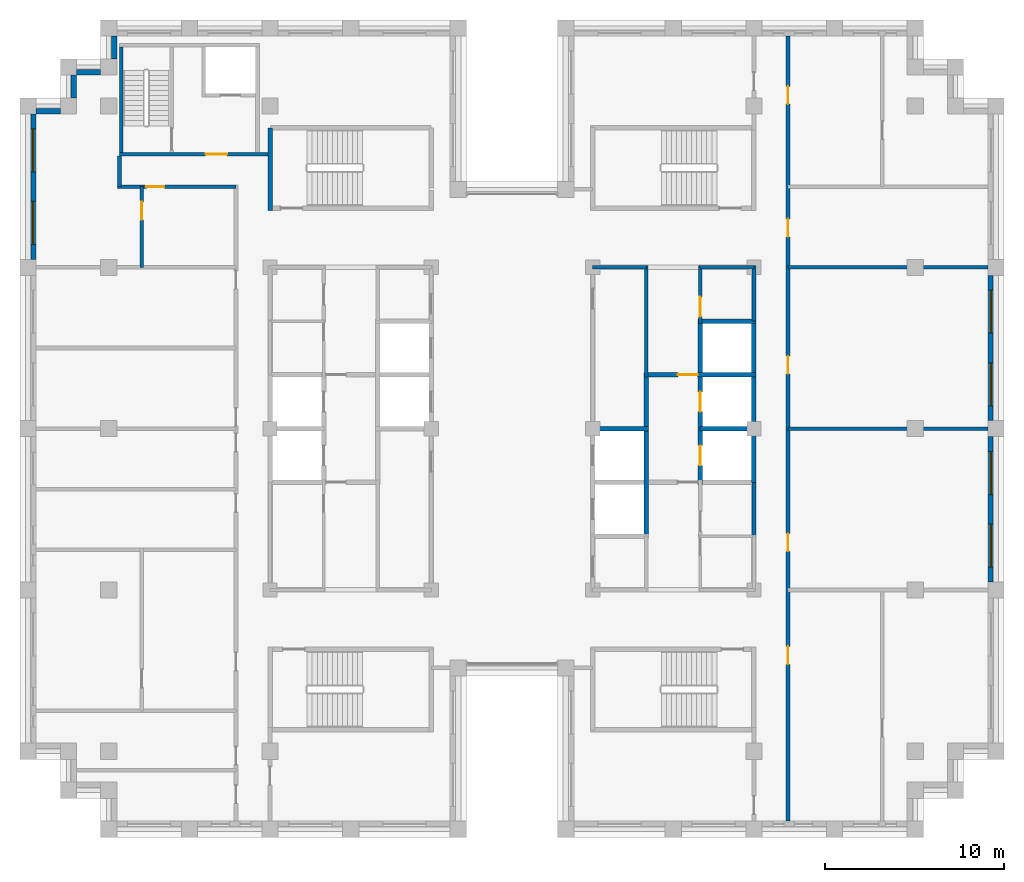
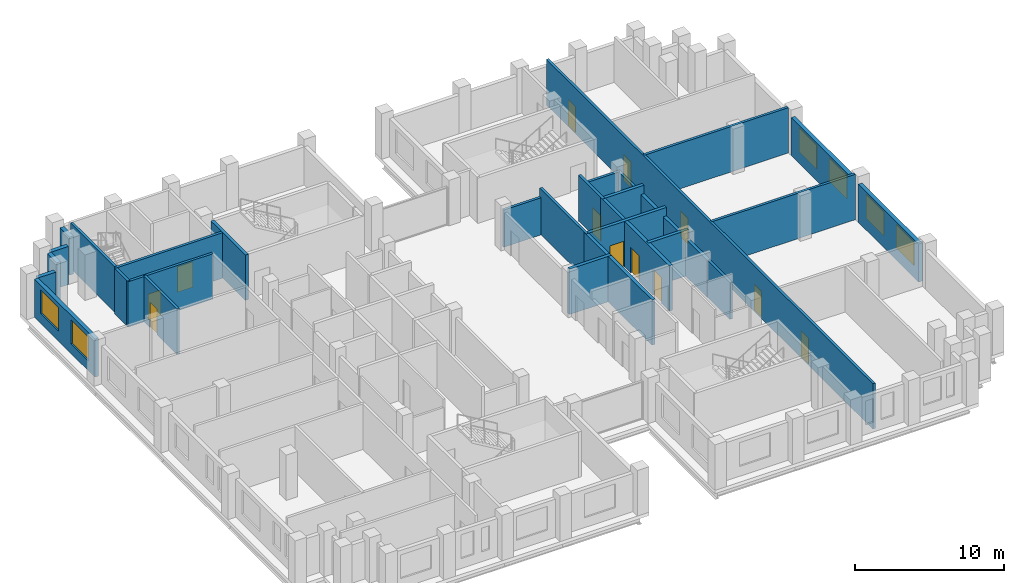
# One storey, part 9 of 13: 29 walls, 12 doors, 6 windows, 18 openings.
"""IFC4 building model written with IfcOpenShell, lengths in metres."""

from ifc_helpers import new_model, si_unit, direction, frame, frame_2d, origin, place, context, subcontext, project, spatial, rectangle, extrude, material, layer, layer_set, type_object, element, fill, save


model = new_model("IFC4")

# Units and contexts
model_context = context("Model", 3, precision=1e-05, world=origin(), true_north=direction((0.0, 1.0)))
body_context = subcontext(model_context, "Body", "Model", "MODEL_VIEW")
ifc_project = project(units=[si_unit("LENGTHUNIT", "METRE"), si_unit("AREAUNIT", "SQUARE_METRE"), si_unit("VOLUMEUNIT", "CUBIC_METRE"), si_unit("PLANEANGLEUNIT", "RADIAN"), si_unit("MASSUNIT", "GRAM", prefix="KILO")], contexts=[model_context])

# Site, building, storey
site_placement = place(None, origin())
site = spatial("IfcSite", under=ifc_project, at=site_placement, CompositionType="ELEMENT")
building_placement = place(site_placement, origin())
building = spatial("IfcBuilding", under=site, at=building_placement, Name="Corbelhall Arena Tower", CompositionType="ELEMENT")
storey_placement = place(building_placement, frame((0.0, 0.0, 278.0)))
storey = spatial("IfcBuildingStorey", under=building, at=storey_placement, Name="L60", CompositionType="ELEMENT", Elevation=278.0)

# Walls
ifc_material_1 = material(Name="Precast concrete C40/50 with granite facing", Category="masonry")
ifc_layer_1 = layer(ifc_material_1, 0.300048828125)
ifc_layer_set_1 = layer_set([ifc_layer_1], Name="EV-IW1 Infill panel 300")
wall_type_1 = type_object("IfcWallType", Name="EV-IW1 Infill panel 300", PredefinedType="SOLIDWALL", material=ifc_layer_set_1)
wall_1_placement = place(storey_placement, frame((-24.449951171875, 19.72509765625, 0.0), z_axis=(0.0, 0.0, 1.0), x_axis=(0.0, -1.0, 0.0)))
element("IfcWall", 1, at=wall_1_placement, inside=storey, type_object=wall_type_1, Name="Infill panel IW1", PredefinedType="SOLIDWALL", context=body_context, shape_type="SweptSolid", body=[
    extrude(rectangle(XDim=1.275146484375, YDim=0.300048828125, at=frame_2d((0.6376953125, 0.0))), origin(), (0.0, 0.0, 1.0), 3.1201171875),
])
wall_2_placement = place(storey_placement, frame((-25.199951171875, 17.699951171875, 0.0), z_axis=(0.0, 0.0, 1.0), x_axis=(-1.0, 0.0, 0.0)))
element("IfcWall", 2, at=wall_2_placement, inside=storey, type_object=wall_type_1, Name="Infill panel IW1", PredefinedType="SOLIDWALL", context=body_context, shape_type="SweptSolid", body=[
    extrude(rectangle(XDim=1.35009765625, YDim=0.300048828125, at=frame_2d((0.675048828125, 0.0))), origin(), (0.0, 0.0, 1.0), 3.1201171875),
])

# Wall, openings, windows
wall_3_placement = place(storey_placement, frame((-26.699951171875, 17.550048828125, 0.0), z_axis=(0.0, 0.0, 1.0), x_axis=(0.0, -1.0, 0.0)))
wall_3 = element("IfcWall", 3, at=wall_3_placement, inside=storey, type_object=wall_type_1, Name="Infill panel IW1", PredefinedType="SOLIDWALL", context=body_context, shape_type="SweptSolid", body=[
    extrude(rectangle(XDim=8.10009765625, YDim=0.300048828125, at=frame_2d((4.050048828125, 0.0))), origin(), (0.0, 0.0, 1.0), 3.1201171875),
])
opening_1_placement = place(wall_3_placement, frame((0.824951171875, 0.0, 0.800048828125)))
opening_1 = element("IfcOpeningElement", 4, at=opening_1_placement, cuts=wall_3, Name="Opening WN1", PredefinedType="OPENING", context=body_context, shape_type="SweptSolid", body=[
    extrude(rectangle(XDim=2.39990234375, YDim=1.949951171875, at=frame_2d((1.199951171875, 0.97509765625))), frame((0.0, 0.14990234375, 0.0), z_axis=(0.0, -1.0, 0.0), x_axis=(1.0, 0.0, 0.0)), (0.0, 0.0, 1.0), 0.300048828125),
])
opening_2_placement = place(wall_3_placement, frame((4.875, 0.0, 0.800048828125)))
opening_2 = element("IfcOpeningElement", 5, at=opening_2_placement, cuts=wall_3, Name="Opening WN1", PredefinedType="OPENING", context=body_context, shape_type="SweptSolid", body=[
    extrude(rectangle(XDim=2.39990234375, YDim=1.949951171875, at=frame_2d((1.199951171875, 0.97509765625))), frame((0.0, 0.14990234375, 0.0), z_axis=(0.0, -1.0, 0.0), x_axis=(1.0, 0.0, 0.0)), (0.0, 0.0, 1.0), 0.300048828125),
])
ifc_material_2 = material(Name="Aluminium black anodised", Category="aluminium")
window_type = type_object("IfcWindowType", Name="EV-WN1 Office window", PartitioningType="SINGLE_PANEL", PredefinedType="WINDOW", material=ifc_material_2)
window_1_placement = place(opening_1_placement, origin())
window_1 = element("IfcWindow", 6, at=window_1_placement, inside=storey, type_object=window_type, Name="Window WN1", OverallHeight=1.949951171875, OverallWidth=2.39990234375, PartitioningType="SINGLE_PANEL", PredefinedType="WINDOW", context=body_context, shape_type="SweptSolid", body=[
    extrude(rectangle(XDim=2.39990234375, YDim=1.949951171875, at=frame_2d((1.199951171875, 0.97509765625))), frame((0.0, 0.030029296875, 0.0), z_axis=(0.0, -1.0, 0.0), x_axis=(1.0, 0.0, 0.0)), (0.0, 0.0, 1.0), 0.06005859375),
])
fill(opening_1, window_1)
window_2_placement = place(opening_2_placement, origin())
window_2 = element("IfcWindow", 7, at=window_2_placement, inside=storey, type_object=window_type, Name="Window WN1", OverallHeight=1.949951171875, OverallWidth=2.39990234375, PartitioningType="SINGLE_PANEL", PredefinedType="WINDOW", context=body_context, shape_type="SweptSolid", body=[
    extrude(rectangle(XDim=2.39990234375, YDim=1.949951171875, at=frame_2d((1.199951171875, 0.97509765625))), frame((0.0, 0.030029296875, 0.0), z_axis=(0.0, -1.0, 0.0), x_axis=(1.0, 0.0, 0.0)), (0.0, 0.0, 1.0), 0.06005859375),
])
fill(opening_2, window_2)

wall_4_placement = place(storey_placement, frame((26.699951171875, -8.550048828125, 0.0), z_axis=(0.0, 0.0, 1.0), x_axis=(0.0, 1.0, 0.0)))
wall_4 = element("IfcWall", 8, at=wall_4_placement, inside=storey, type_object=wall_type_1, Name="Infill panel IW1", PredefinedType="SOLIDWALL", context=body_context, shape_type="SweptSolid", body=[
    extrude(rectangle(XDim=8.10009765625, YDim=0.300048828125, at=frame_2d((4.050048828125, 0.0))), origin(), (0.0, 0.0, 1.0), 3.1201171875),
])
opening_3_placement = place(wall_4_placement, frame((0.824951171875, 0.0, 0.800048828125)))
opening_3 = element("IfcOpeningElement", 9, at=opening_3_placement, cuts=wall_4, Name="Opening WN1", PredefinedType="OPENING", context=body_context, shape_type="SweptSolid", body=[
    extrude(rectangle(XDim=2.39990234375, YDim=1.949951171875, at=frame_2d((1.199951171875, 0.97509765625))), frame((0.0, 0.14990234375, 0.0), z_axis=(0.0, -1.0, 0.0), x_axis=(1.0, 0.0, 0.0)), (0.0, 0.0, 1.0), 0.300048828125),
])
opening_4_placement = place(wall_4_placement, frame((4.875, 0.0, 0.800048828125)))
opening_4 = element("IfcOpeningElement", 10, at=opening_4_placement, cuts=wall_4, Name="Opening WN1", PredefinedType="OPENING", context=body_context, shape_type="SweptSolid", body=[
    extrude(rectangle(XDim=2.39990234375, YDim=1.949951171875, at=frame_2d((1.199951171875, 0.97509765625))), frame((0.0, 0.14990234375, 0.0), z_axis=(0.0, -1.0, 0.0), x_axis=(1.0, 0.0, 0.0)), (0.0, 0.0, 1.0), 0.300048828125),
])
window_3_placement = place(opening_3_placement, origin())
window_3 = element("IfcWindow", 11, at=window_3_placement, inside=storey, type_object=window_type, Name="Window WN1", OverallHeight=1.949951171875, OverallWidth=2.39990234375, PartitioningType="SINGLE_PANEL", PredefinedType="WINDOW", context=body_context, shape_type="SweptSolid", body=[
    extrude(rectangle(XDim=2.39990234375, YDim=1.949951171875, at=frame_2d((1.199951171875, 0.97509765625))), frame((0.0, 0.030029296875, 0.0), z_axis=(0.0, -1.0, 0.0), x_axis=(1.0, 0.0, 0.0)), (0.0, 0.0, 1.0), 0.06005859375),
])
fill(opening_3, window_3)
window_4_placement = place(opening_4_placement, origin())
window_4 = element("IfcWindow", 12, at=window_4_placement, inside=storey, type_object=window_type, Name="Window WN1", OverallHeight=1.949951171875, OverallWidth=2.39990234375, PartitioningType="SINGLE_PANEL", PredefinedType="WINDOW", context=body_context, shape_type="SweptSolid", body=[
    extrude(rectangle(XDim=2.39990234375, YDim=1.949951171875, at=frame_2d((1.199951171875, 0.97509765625))), frame((0.0, 0.030029296875, 0.0), z_axis=(0.0, -1.0, 0.0), x_axis=(1.0, 0.0, 0.0)), (0.0, 0.0, 1.0), 0.06005859375),
])
fill(opening_4, window_4)

wall_5_placement = place(storey_placement, frame((26.699951171875, 0.449951171875, 0.0), z_axis=(0.0, 0.0, 1.0), x_axis=(0.0, 1.0, 0.0)))
wall_5 = element("IfcWall", 13, at=wall_5_placement, inside=storey, type_object=wall_type_1, Name="Infill panel IW1", PredefinedType="SOLIDWALL", context=body_context, shape_type="SweptSolid", body=[
    extrude(rectangle(XDim=8.10009765625, YDim=0.300048828125, at=frame_2d((4.050048828125, 0.0))), origin(), (0.0, 0.0, 1.0), 3.1201171875),
])
opening_5_placement = place(wall_5_placement, frame((0.824951171875, 0.0, 0.800048828125)))
opening_5 = element("IfcOpeningElement", 14, at=opening_5_placement, cuts=wall_5, Name="Opening WN1", PredefinedType="OPENING", context=body_context, shape_type="SweptSolid", body=[
    extrude(rectangle(XDim=2.39990234375, YDim=1.949951171875, at=frame_2d((1.199951171875, 0.97509765625))), frame((0.0, 0.14990234375, 0.0), z_axis=(0.0, -1.0, 0.0), x_axis=(1.0, 0.0, 0.0)), (0.0, 0.0, 1.0), 0.300048828125),
])
opening_6_placement = place(wall_5_placement, frame((4.875, 0.0, 0.800048828125)))
opening_6 = element("IfcOpeningElement", 15, at=opening_6_placement, cuts=wall_5, Name="Opening WN1", PredefinedType="OPENING", context=body_context, shape_type="SweptSolid", body=[
    extrude(rectangle(XDim=2.39990234375, YDim=1.949951171875, at=frame_2d((1.199951171875, 0.97509765625))), frame((0.0, 0.14990234375, 0.0), z_axis=(0.0, -1.0, 0.0), x_axis=(1.0, 0.0, 0.0)), (0.0, 0.0, 1.0), 0.300048828125),
])
window_5_placement = place(opening_5_placement, origin())
window_5 = element("IfcWindow", 16, at=window_5_placement, inside=storey, type_object=window_type, Name="Window WN1", OverallHeight=1.949951171875, OverallWidth=2.39990234375, PartitioningType="SINGLE_PANEL", PredefinedType="WINDOW", context=body_context, shape_type="SweptSolid", body=[
    extrude(rectangle(XDim=2.39990234375, YDim=1.949951171875, at=frame_2d((1.199951171875, 0.97509765625))), frame((0.0, 0.030029296875, 0.0), z_axis=(0.0, -1.0, 0.0), x_axis=(1.0, 0.0, 0.0)), (0.0, 0.0, 1.0), 0.06005859375),
])
fill(opening_5, window_5)
window_6_placement = place(opening_6_placement, origin())
window_6 = element("IfcWindow", 17, at=window_6_placement, inside=storey, type_object=window_type, Name="Window WN1", OverallHeight=1.949951171875, OverallWidth=2.39990234375, PartitioningType="SINGLE_PANEL", PredefinedType="WINDOW", context=body_context, shape_type="SweptSolid", body=[
    extrude(rectangle(XDim=2.39990234375, YDim=1.949951171875, at=frame_2d((1.199951171875, 0.97509765625))), frame((0.0, 0.030029296875, 0.0), z_axis=(0.0, -1.0, 0.0), x_axis=(1.0, 0.0, 0.0)), (0.0, 0.0, 1.0), 0.06005859375),
])
fill(opening_6, window_6)

# Walls
wall_6_placement = place(storey_placement, frame((-22.199951171875, 21.89990234375, 0.0), z_axis=(0.0, 0.0, 1.0), x_axis=(0.0, -1.0, 0.0)))
element("IfcWall", 18, at=wall_6_placement, inside=storey, type_object=wall_type_1, Name="Infill panel IW1", PredefinedType="SOLIDWALL", context=body_context, shape_type="SweptSolid", body=[
    extrude(rectangle(XDim=1.27490234375, YDim=0.300048828125, at=frame_2d((0.637451171875, 0.0))), origin(), (0.0, 0.0, 1.0), 3.1201171875),
])
wall_7_placement = place(storey_placement, frame((-22.949951171875, 19.875, 0.0), z_axis=(0.0, 0.0, 1.0), x_axis=(-1.0, 0.0, 0.0)))
element("IfcWall", 19, at=wall_7_placement, inside=storey, type_object=wall_type_1, Name="Infill panel IW1", PredefinedType="SOLIDWALL", context=body_context, shape_type="SweptSolid", body=[
    extrude(rectangle(XDim=1.35009765625, YDim=0.300048828125, at=frame_2d((0.675048828125, 0.0))), origin(), (0.0, 0.0, 1.0), 3.1201171875),
])
ifc_material_3 = material(Name="Gypsum board on steel stud, acoustic", Category="steel")
ifc_layer_2 = layer(ifc_material_3, 0.199951171875)
ifc_layer_set_2 = layer_set([ifc_layer_2], Name="IN-W-DM200")
wall_type_2 = type_object("IfcWallType", Name="IN-W-DM200", PredefinedType="PARTITIONING", material=ifc_layer_set_2)
wall_8_placement = place(storey_placement, frame((-21.89990234375, 13.5, 0.0), z_axis=(0.0, 0.0, 1.0), x_axis=(0.0, 1.0, 0.0)))
element("IfcWall", 20, at=wall_8_placement, inside=storey, type_object=wall_type_2, Name="Partition 007", PredefinedType="PARTITIONING", context=body_context, shape_type="SweptSolid", body=[
    extrude(rectangle(XDim=1.699951171875, YDim=0.199951171875, at=frame_2d((0.85009765625, 0.0))), origin(), (0.0, 0.0, 1.0), 3.719970703125),
])

# Wall, opening, door
wall_9_placement = place(storey_placement, frame((-20.64990234375, 9.0, 0.0), z_axis=(0.0, 0.0, 1.0), x_axis=(0.0, 1.0, 0.0)))
wall_9 = element("IfcWall", 21, at=wall_9_placement, inside=storey, type_object=wall_type_2, Name="Partition 009", PredefinedType="PARTITIONING", context=body_context, shape_type="SweptSolid", body=[
    extrude(rectangle(XDim=4.5, YDim=0.199951171875, at=frame_2d((2.25, 0.0))), origin(), (0.0, 0.0, 1.0), 3.719970703125),
])
opening_7_placement = place(wall_9_placement, frame((2.64990234375, 0.0, 0.0)))
opening_7 = element("IfcOpeningElement", 22, at=opening_7_placement, cuts=wall_9, Name="Opening 19025", PredefinedType="OPENING", context=body_context, shape_type="SweptSolid", body=[
    extrude(rectangle(XDim=1.0, YDim=2.10009765625, at=frame_2d((0.5, 1.050048828125))), frame((0.0, 0.10009765625, 0.0), z_axis=(0.0, -1.0, 0.0), x_axis=(1.0, 0.0, 0.0)), (0.0, 0.0, 1.0), 0.199951171875),
])
ifc_material_4 = material(Name="Steel door set", Category="steel")
door_type_1 = type_object("IfcDoorType", Name="IN-D-SW100", OperationType="NOTDEFINED", PredefinedType="DOOR", material=ifc_material_4)
door_1_placement = place(opening_7_placement, origin())
door_1 = element("IfcDoor", 23, at=door_1_placement, inside=storey, type_object=door_type_1, Name="Door 025", OperationType="SINGLE_SWING_RIGHT", OverallHeight=2.10009765625, OverallWidth=1.0, PredefinedType="DOOR", context=body_context, shape_type="SweptSolid", body=[
    extrude(rectangle(XDim=1.0, YDim=2.10009765625, at=frame_2d((0.5, 1.050048828125))), frame((0.0, 0.02490234375, 0.0), z_axis=(0.0, -1.0, 0.0), x_axis=(1.0, 0.0, 0.0)), (0.0, 0.0, 1.0), 0.050048828125),
])
fill(opening_7, door_1)

wall_10_placement = place(storey_placement, frame((-15.39990234375, 13.5, 0.0), z_axis=(0.0, 0.0, 1.0), x_axis=(-1.0, 0.0, 0.0)))
wall_10 = element("IfcWall", 24, at=wall_10_placement, inside=storey, type_object=wall_type_2, Name="Partition 010", PredefinedType="PARTITIONING", context=body_context, shape_type="SweptSolid", body=[
    extrude(rectangle(XDim=6.60009765625, YDim=0.199951171875, at=frame_2d((3.300048828125, 0.0))), origin(), (0.0, 0.0, 1.0), 3.719970703125),
])
opening_8_placement = place(wall_10_placement, frame((4.0, 0.0, 0.0)))
opening_8 = element("IfcOpeningElement", 25, at=opening_8_placement, cuts=wall_10, Name="Opening 19024", PredefinedType="OPENING", context=body_context, shape_type="SweptSolid", body=[
    extrude(rectangle(XDim=1.0, YDim=2.10009765625, at=frame_2d((0.5, 1.050048828125))), frame((0.0, 0.10009765625, 0.0), z_axis=(0.0, -1.0, 0.0), x_axis=(1.0, 0.0, 0.0)), (0.0, 0.0, 1.0), 0.199951171875),
])
door_2_placement = place(opening_8_placement, origin())
door_2 = element("IfcDoor", 26, at=door_2_placement, inside=storey, type_object=door_type_1, Name="Door 024", OperationType="SINGLE_SWING_LEFT", OverallHeight=2.10009765625, OverallWidth=1.0, PredefinedType="DOOR", context=body_context, shape_type="SweptSolid", body=[
    extrude(rectangle(XDim=1.0, YDim=2.10009765625, at=frame_2d((0.5, 1.050048828125))), frame((0.0, 0.02490234375, 0.0), z_axis=(0.0, -1.0, 0.0), x_axis=(1.0, 0.0, 0.0)), (0.0, 0.0, 1.0), 0.050048828125),
])
fill(opening_8, door_2)

# Wall, openings, doors
wall_11_placement = place(storey_placement, frame((15.39990234375, 21.89990234375, 0.0), z_axis=(0.0, 0.0, 1.0), x_axis=(0.0, -1.0, 0.0)))
wall_11 = element("IfcWall", 27, at=wall_11_placement, inside=storey, type_object=wall_type_2, Name="Partition 020", PredefinedType="PARTITIONING", context=body_context, shape_type="SweptSolid", body=[
    extrude(rectangle(XDim=43.7998046875, YDim=0.199951171875, at=frame_2d((21.89990234375, 0.0))), origin(), (0.0, 0.0, 1.0), 3.719970703125),
])
opening_9_placement = place(wall_11_placement, frame((17.85009765625, 0.0, 0.0)))
opening_9 = element("IfcOpeningElement", 28, at=opening_9_placement, cuts=wall_11, Name="Opening 19032", PredefinedType="OPENING", context=body_context, shape_type="SweptSolid", body=[
    extrude(rectangle(XDim=1.0, YDim=2.10009765625, at=frame_2d((0.5, 1.050048828125))), frame((0.0, 0.10009765625, 0.0), z_axis=(0.0, -1.0, 0.0), x_axis=(1.0, 0.0, 0.0)), (0.0, 0.0, 1.0), 0.199951171875),
])
opening_10_placement = place(wall_11_placement, frame((10.199951171875, 0.0, 0.0)))
opening_10 = element("IfcOpeningElement", 29, at=opening_10_placement, cuts=wall_11, Name="Opening 19033", PredefinedType="OPENING", context=body_context, shape_type="SweptSolid", body=[
    extrude(rectangle(XDim=1.0, YDim=2.10009765625, at=frame_2d((0.5, 1.050048828125))), frame((0.0, 0.10009765625, 0.0), z_axis=(0.0, -1.0, 0.0), x_axis=(1.0, 0.0, 0.0)), (0.0, 0.0, 1.0), 0.199951171875),
])
opening_11_placement = place(wall_11_placement, frame((2.800048828125, 0.0, 0.0)))
opening_11 = element("IfcOpeningElement", 30, at=opening_11_placement, cuts=wall_11, Name="Opening 19034", PredefinedType="OPENING", context=body_context, shape_type="SweptSolid", body=[
    extrude(rectangle(XDim=1.0, YDim=2.10009765625, at=frame_2d((0.5, 1.050048828125))), frame((0.0, 0.10009765625, 0.0), z_axis=(0.0, -1.0, 0.0), x_axis=(1.0, 0.0, 0.0)), (0.0, 0.0, 1.0), 0.199951171875),
])
opening_12_placement = place(wall_11_placement, frame((34.050048828125, 0.0, 0.0)))
opening_12 = element("IfcOpeningElement", 31, at=opening_12_placement, cuts=wall_11, Name="Opening 19036", PredefinedType="OPENING", context=body_context, shape_type="SweptSolid", body=[
    extrude(rectangle(XDim=1.0, YDim=2.10009765625, at=frame_2d((0.5, 1.050048828125))), frame((0.0, 0.10009765625, 0.0), z_axis=(0.0, -1.0, 0.0), x_axis=(1.0, 0.0, 0.0)), (0.0, 0.0, 1.0), 0.199951171875),
])
opening_13_placement = place(wall_11_placement, frame((27.75, 0.0, 0.0)))
opening_13 = element("IfcOpeningElement", 32, at=opening_13_placement, cuts=wall_11, Name="Opening 19038", PredefinedType="OPENING", context=body_context, shape_type="SweptSolid", body=[
    extrude(rectangle(XDim=1.0, YDim=2.10009765625, at=frame_2d((0.5, 1.050048828125))), frame((0.0, 0.10009765625, 0.0), z_axis=(0.0, -1.0, 0.0), x_axis=(1.0, 0.0, 0.0)), (0.0, 0.0, 1.0), 0.199951171875),
])
door_3_placement = place(opening_9_placement, origin())
door_3 = element("IfcDoor", 33, at=door_3_placement, inside=storey, type_object=door_type_1, Name="Door 032", OperationType="SINGLE_SWING_LEFT", OverallHeight=2.10009765625, OverallWidth=1.0, PredefinedType="DOOR", context=body_context, shape_type="SweptSolid", body=[
    extrude(rectangle(XDim=1.0, YDim=2.10009765625, at=frame_2d((0.5, 1.050048828125))), frame((0.0, 0.02490234375, 0.0), z_axis=(0.0, -1.0, 0.0), x_axis=(1.0, 0.0, 0.0)), (0.0, 0.0, 1.0), 0.050048828125),
])
fill(opening_9, door_3)
door_4_placement = place(opening_10_placement, origin())
door_4 = element("IfcDoor", 34, at=door_4_placement, inside=storey, type_object=door_type_1, Name="Door 033", OperationType="SINGLE_SWING_RIGHT", OverallHeight=2.10009765625, OverallWidth=1.0, PredefinedType="DOOR", context=body_context, shape_type="SweptSolid", body=[
    extrude(rectangle(XDim=1.0, YDim=2.10009765625, at=frame_2d((0.5, 1.050048828125))), frame((0.0, 0.02490234375, 0.0), z_axis=(0.0, -1.0, 0.0), x_axis=(1.0, 0.0, 0.0)), (0.0, 0.0, 1.0), 0.050048828125),
])
fill(opening_10, door_4)
door_5_placement = place(opening_11_placement, origin())
door_5 = element("IfcDoor", 35, at=door_5_placement, inside=storey, type_object=door_type_1, Name="Door 034", OperationType="SINGLE_SWING_LEFT", OverallHeight=2.10009765625, OverallWidth=1.0, PredefinedType="DOOR", context=body_context, shape_type="SweptSolid", body=[
    extrude(rectangle(XDim=1.0, YDim=2.10009765625, at=frame_2d((0.5, 1.050048828125))), frame((0.0, 0.02490234375, 0.0), z_axis=(0.0, -1.0, 0.0), x_axis=(1.0, 0.0, 0.0)), (0.0, 0.0, 1.0), 0.050048828125),
])
fill(opening_11, door_5)
door_6_placement = place(opening_12_placement, origin())
door_6 = element("IfcDoor", 36, at=door_6_placement, inside=storey, type_object=door_type_1, Name="Door 036", OperationType="SINGLE_SWING_LEFT", OverallHeight=2.10009765625, OverallWidth=1.0, PredefinedType="DOOR", context=body_context, shape_type="SweptSolid", body=[
    extrude(rectangle(XDim=1.0, YDim=2.10009765625, at=frame_2d((0.5, 1.050048828125))), frame((0.0, 0.02490234375, 0.0), z_axis=(0.0, -1.0, 0.0), x_axis=(1.0, 0.0, 0.0)), (0.0, 0.0, 1.0), 0.050048828125),
])
fill(opening_12, door_6)
door_7_placement = place(opening_13_placement, origin())
door_7 = element("IfcDoor", 37, at=door_7_placement, inside=storey, type_object=door_type_1, Name="Door 038", OperationType="SINGLE_SWING_LEFT", OverallHeight=2.10009765625, OverallWidth=1.0, PredefinedType="DOOR", context=body_context, shape_type="SweptSolid", body=[
    extrude(rectangle(XDim=1.0, YDim=2.10009765625, at=frame_2d((0.5, 1.050048828125))), frame((0.0, 0.02490234375, 0.0), z_axis=(0.0, -1.0, 0.0), x_axis=(1.0, 0.0, 0.0)), (0.0, 0.0, 1.0), 0.050048828125),
])
fill(opening_13, door_7)

# Walls
for number, where, z_axis, x_axis, name in (
    (38, (15.39990234375, 9.0, 0.0), (0.0, 0.0, 1.0), (1.0, 0.0, 0.0), "Partition 021"),
    (39, (26.550048828125, 0.0, 0.0), (0.0, 0.0, 1.0), (-1.0, 0.0, 0.0), "Partition 025"),
):
    element("IfcWall", number, at=place(storey_placement, frame(where, z_axis=z_axis, x_axis=x_axis)), inside=storey, type_object=wall_type_2, Name=name, PredefinedType="PARTITIONING", context=body_context, shape_type="SweptSolid", body=[
        extrude(rectangle(XDim=11.150146484375, YDim=0.199951171875, at=frame_2d((5.5751953125, 0.0))), origin(), (0.0, 0.0, 1.0), 3.719970703125),
    ])

# Wall, opening, door
ifc_material_5 = material(Name="Concrete C40/50", Category="concrete")
ifc_layer_3 = layer(ifc_material_5, 0.199951171875)
ifc_layer_set_3 = layer_set([ifc_layer_3], Name="IN-W-EAR200")
wall_type_3 = type_object("IfcWallType", Name="IN-W-EAR200", PredefinedType="SOLIDWALL", material=ifc_layer_set_3)
wall_12_placement = place(storey_placement, frame((-21.89990234375, 15.300048828125, 0.0), z_axis=(0.0, 0.0, 1.0), x_axis=(1.0, 0.0, 0.0)))
wall_12 = element("IfcWall", 40, at=wall_12_placement, inside=storey, type_object=wall_type_3, Name="Fire service turret wall south", PredefinedType="SOLIDWALL", context=body_context, shape_type="SweptSolid", body=[
    extrude(rectangle(XDim=8.27490234375, YDim=0.199951171875, at=frame_2d((4.137451171875, 0.0))), origin(), (0.0, 0.0, 1.0), 3.719970703125),
])
opening_14_placement = place(wall_12_placement, frame((4.800048828125, 0.0, 0.0)))
opening_14 = element("IfcOpeningElement", 41, at=opening_14_placement, cuts=wall_12, Name="Opening E192", PredefinedType="OPENING", context=body_context, shape_type="SweptSolid", body=[
    extrude(rectangle(XDim=1.199951171875, YDim=2.10009765625, at=frame_2d((0.60009765625, 1.050048828125))), frame((0.0, 0.10009765625, 0.0), z_axis=(0.0, -1.0, 0.0), x_axis=(1.0, 0.0, 0.0)), (0.0, 0.0, 1.0), 0.199951171875),
])
door_type_2 = type_object("IfcDoorType", Name="IN-D-ST120", OperationType="NOTDEFINED", PredefinedType="DOOR", material=ifc_material_4)
door_8_placement = place(opening_14_placement, origin())
door_8 = element("IfcDoor", 42, at=door_8_placement, inside=storey, type_object=door_type_2, Name="Door from fire service lift lobby to circulation", OperationType="SINGLE_SWING_RIGHT", OverallHeight=2.10009765625, OverallWidth=1.199951171875, PredefinedType="DOOR", context=body_context, shape_type="SweptSolid", body=[
    extrude(rectangle(XDim=1.199951171875, YDim=2.10009765625, at=frame_2d((0.60009765625, 1.050048828125))), frame((0.0, 0.02490234375, 0.0), z_axis=(0.0, -1.0, 0.0), x_axis=(1.0, 0.0, 0.0)), (0.0, 0.0, 1.0), 0.050048828125),
])
fill(opening_14, door_8)

# Walls
wall_13_placement = place(storey_placement, frame((-21.800048828125, 15.39990234375, 0.0), z_axis=(0.0, 0.0, 1.0), x_axis=(0.0, 1.0, 0.0)))
element("IfcWall", 43, at=wall_13_placement, inside=storey, type_object=wall_type_3, Name="Fire service turret wall west", PredefinedType="SOLIDWALL", context=body_context, shape_type="SweptSolid", body=[
    extrude(rectangle(XDim=5.900146484375, YDim=0.199951171875, at=frame_2d((2.9501953125, 0.0))), origin(), (0.0, 0.0, 1.0), 3.719970703125),
])
ifc_material_6 = material(Name="Concrete block wall", Category="concrete")
ifc_layer_4 = layer(ifc_material_6, 0.199951171875)
ifc_layer_set_4 = layer_set([ifc_layer_4], Name="IN-W-RS200")
wall_type_4 = type_object("IfcWallType", Name="IN-W-RS200", PredefinedType="SOLIDWALL", material=ifc_layer_set_4)
wall_14_placement = place(storey_placement, frame((7.5, 9.10009765625, 0.0), z_axis=(0.0, 0.0, 1.0), x_axis=(0.0, -1.0, 0.0)))
element("IfcWall", 44, at=wall_14_placement, inside=storey, type_object=wall_type_4, Name="Partition 040", PredefinedType="SOLIDWALL", context=body_context, shape_type="SweptSolid", body=[
    extrude(rectangle(XDim=6.22509765625, YDim=0.199951171875, at=frame_2d((3.112548828125, 0.0))), origin(), (0.0, 0.0, 1.0), 3.719970703125),
])

# Wall, opening, door
wall_15_placement = place(storey_placement, frame((10.5, 9.10009765625, 0.0), z_axis=(0.0, 0.0, 1.0), x_axis=(0.0, -1.0, 0.0)))
wall_15 = element("IfcWall", 45, at=wall_15_placement, inside=storey, type_object=wall_type_4, Name="Partition 043", PredefinedType="SOLIDWALL", context=body_context, shape_type="SweptSolid", body=[
    extrude(rectangle(XDim=3.22509765625, YDim=0.199951171875, at=frame_2d((1.612548828125, 0.0))), origin(), (0.0, 0.0, 1.0), 3.719970703125),
])
opening_15_placement = place(wall_15_placement, frame((1.75, 0.0, 0.0)))
opening_15 = element("IfcOpeningElement", 46, at=opening_15_placement, cuts=wall_15, Name="Opening 19014", PredefinedType="OPENING", context=body_context, shape_type="SweptSolid", body=[
    extrude(rectangle(XDim=1.10009765625, YDim=2.10009765625, at=frame_2d((0.550048828125, 1.050048828125))), frame((0.0, 0.10009765625, 0.0), z_axis=(0.0, -1.0, 0.0), x_axis=(1.0, 0.0, 0.0)), (0.0, 0.0, 1.0), 0.199951171875),
])
door_type_3 = type_object("IfcDoorType", Name="IN-D-FD110", OperationType="NOTDEFINED", PredefinedType="DOOR", material=ifc_material_4)
door_9_placement = place(opening_15_placement, origin())
door_9 = element("IfcDoor", 47, at=door_9_placement, inside=storey, type_object=door_type_3, Name="Door 014", OperationType="SINGLE_SWING_LEFT", OverallHeight=2.10009765625, OverallWidth=1.10009765625, PredefinedType="DOOR", context=body_context, shape_type="SweptSolid", body=[
    extrude(rectangle(XDim=1.10009765625, YDim=2.10009765625, at=frame_2d((0.550048828125, 1.050048828125))), frame((0.0, 0.02490234375, 0.0), z_axis=(0.0, -1.0, 0.0), x_axis=(1.0, 0.0, 0.0)), (0.0, 0.0, 1.0), 0.050048828125),
])
fill(opening_15, door_9)

# Walls
ifc_layer_5 = layer(ifc_material_6, 0.199951171875)
ifc_layer_set_5 = layer_set([ifc_layer_5], Name="IN-W-RS200 under beam 678 mm")
wall_type_5 = type_object("IfcWallType", Name="IN-W-RS200 under beam 678 mm", PredefinedType="SOLIDWALL", material=ifc_layer_set_5)
for number, where, z_axis, x_axis, name in (
    (48, (4.5, 9.0, 0.0), (0.0, 0.0, 1.0), (1.0, 0.0, 0.0), "Partition 037"),
    (49, (10.5, 9.0, 0.0), (0.0, 0.0, 1.0), (1.0, 0.0, 0.0), "Partition 042"),
    (50, (13.5, -3.0, 0.0), (0.0, 0.0, 1.0), (0.0, -1.0, 0.0), "Partition 044"),
):
    element("IfcWall", number, at=place(storey_placement, frame(where, z_axis=z_axis, x_axis=x_axis)), inside=storey, type_object=wall_type_5, Name=name, PredefinedType="SOLIDWALL", context=body_context, shape_type="SweptSolid", body=[
        extrude(rectangle(XDim=3.0, YDim=0.199951171875, at=frame_2d((1.5, 0.0))), origin(), (0.0, 0.0, 1.0), 3.041748046875),
    ])
wall_16_placement = place(storey_placement, frame((13.5, 9.10009765625, 0.0), z_axis=(0.0, 0.0, 1.0), x_axis=(0.0, -1.0, 0.0)))
element("IfcWall", 51, at=wall_16_placement, inside=storey, type_object=wall_type_5, Name="Partition 045", PredefinedType="SOLIDWALL", context=body_context, shape_type="SweptSolid", body=[
    extrude(rectangle(XDim=3.10009765625, YDim=0.199951171875, at=frame_2d((1.550048828125, 0.0))), origin(), (0.0, 0.0, 1.0), 3.041748046875),
])
ifc_layer_6 = layer(ifc_material_5, 0.25)
ifc_layer_set_6 = layer_set([ifc_layer_6], Name="IN-W-SH250")
wall_type_6 = type_object("IfcWallType", Name="IN-W-SH250", PredefinedType="SOLIDWALL", material=ifc_layer_set_6)
wall_17_placement = place(storey_placement, frame((4.375, 0.0, 0.0), z_axis=(0.0, 0.0, 1.0), x_axis=(1.0, 0.0, 0.0)))
element("IfcWall", 52, at=wall_17_placement, inside=storey, type_object=wall_type_6, Name="Shaft wall 057", PredefinedType="SOLIDWALL", context=body_context, shape_type="SweptSolid", body=[
    extrude(rectangle(XDim=3.25, YDim=0.25, at=frame_2d((1.625, 0.0))), origin(), (0.0, 0.0, 1.0), 3.719970703125),
])
wall_18_placement = place(storey_placement, frame((7.5, 3.125, 0.0), z_axis=(0.0, 0.0, 1.0), x_axis=(0.0, -1.0, 0.0)))
element("IfcWall", 53, at=wall_18_placement, inside=storey, type_object=wall_type_6, Name="Shaft wall 059", PredefinedType="SOLIDWALL", context=body_context, shape_type="SweptSolid", body=[
    extrude(rectangle(XDim=9.125, YDim=0.25, at=frame_2d((4.5625, 0.0))), origin(), (0.0, 0.0, 1.0), 3.719970703125),
])

# Wall, opening, door
wall_19_placement = place(storey_placement, frame((7.5, 3.0, 0.0), z_axis=(0.0, 0.0, 1.0), x_axis=(1.0, 0.0, 0.0)))
wall_19 = element("IfcWall", 54, at=wall_19_placement, inside=storey, type_object=wall_type_6, Name="Shaft wall 060", PredefinedType="SOLIDWALL", context=body_context, shape_type="SweptSolid", body=[
    extrude(rectangle(XDim=6.125, YDim=0.25, at=frame_2d((3.0625, 0.0))), origin(), (0.0, 0.0, 1.0), 3.719970703125),
])
opening_16_placement = place(wall_19_placement, frame((1.75, 0.0, 0.0)))
opening_16 = element("IfcOpeningElement", 55, at=opening_16_placement, cuts=wall_19, Name="Opening 19011", PredefinedType="OPENING", context=body_context, shape_type="SweptSolid", body=[
    extrude(rectangle(XDim=1.10009765625, YDim=2.10009765625, at=frame_2d((0.550048828125, 1.050048828125))), frame((0.0, 0.125, 0.0), z_axis=(0.0, -1.0, 0.0), x_axis=(1.0, 0.0, 0.0)), (0.0, 0.0, 1.0), 0.25),
])
door_10_placement = place(opening_16_placement, origin())
door_10 = element("IfcDoor", 56, at=door_10_placement, inside=storey, type_object=door_type_3, Name="Door 011", OperationType="SINGLE_SWING_RIGHT", OverallHeight=2.10009765625, OverallWidth=1.10009765625, PredefinedType="DOOR", context=body_context, shape_type="SweptSolid", body=[
    extrude(rectangle(XDim=1.10009765625, YDim=2.10009765625, at=frame_2d((0.550048828125, 1.050048828125))), frame((0.0, 0.02490234375, 0.0), z_axis=(0.0, -1.0, 0.0), x_axis=(1.0, 0.0, 0.0)), (0.0, 0.0, 1.0), 0.050048828125),
])
fill(opening_16, door_10)

# Wall
wall_20_placement = place(storey_placement, frame((10.5, 0.0, 0.0), z_axis=(0.0, 0.0, 1.0), x_axis=(1.0, 0.0, 0.0)))
element("IfcWall", 57, at=wall_20_placement, inside=storey, type_object=wall_type_6, Name="Shaft wall 061", PredefinedType="SOLIDWALL", context=body_context, shape_type="SweptSolid", body=[
    extrude(rectangle(XDim=3.125, YDim=0.25, at=frame_2d((1.5625, 0.0))), origin(), (0.0, 0.0, 1.0), 3.719970703125),
])

# Wall, openings, doors
wall_21_placement = place(storey_placement, frame((10.5, 6.125, 0.0), z_axis=(0.0, 0.0, 1.0), x_axis=(0.0, -1.0, 0.0)))
wall_21 = element("IfcWall", 58, at=wall_21_placement, inside=storey, type_object=wall_type_6, Name="Shaft wall 062", PredefinedType="SOLIDWALL", context=body_context, shape_type="SweptSolid", body=[
    extrude(rectangle(XDim=9.25, YDim=0.25, at=frame_2d((4.625, 0.0))), origin(), (0.0, 0.0, 1.0), 3.719970703125),
])
opening_17_placement = place(wall_21_placement, frame((7.074951171875, 0.0, 0.0)))
opening_17 = element("IfcOpeningElement", 59, at=opening_17_placement, cuts=wall_21, Name="Opening LD", PredefinedType="OPENING", context=body_context, shape_type="SweptSolid", body=[
    extrude(rectangle(XDim=1.10009765625, YDim=2.10009765625, at=frame_2d((0.550048828125, 1.050048828125))), frame((0.0, 0.125, 0.0), z_axis=(0.0, -1.0, 0.0), x_axis=(1.0, 0.0, 0.0)), (0.0, 0.0, 1.0), 0.25),
])
opening_18_placement = place(wall_21_placement, frame((4.074951171875, 0.0, 0.0)))
opening_18 = element("IfcOpeningElement", 60, at=opening_18_placement, cuts=wall_21, Name="Opening LD", PredefinedType="OPENING", context=body_context, shape_type="SweptSolid", body=[
    extrude(rectangle(XDim=1.10009765625, YDim=2.10009765625, at=frame_2d((0.550048828125, 1.050048828125))), frame((0.0, 0.125, 0.0), z_axis=(0.0, -1.0, 0.0), x_axis=(1.0, 0.0, 0.0)), (0.0, 0.0, 1.0), 0.25),
])
door_type_4 = type_object("IfcDoorType", Name="IN-D-LD110", OperationType="NOTDEFINED", PredefinedType="DOOR", material=ifc_material_4)
door_11_placement = place(opening_17_placement, origin())
door_11 = element("IfcDoor", 61, at=door_11_placement, inside=storey, type_object=door_type_4, Name="Landing door E3", OperationType="SLIDING_TO_LEFT", OverallHeight=2.10009765625, OverallWidth=1.10009765625, PredefinedType="DOOR", context=body_context, shape_type="SweptSolid", body=[
    extrude(rectangle(XDim=1.10009765625, YDim=2.10009765625, at=frame_2d((0.550048828125, 1.050048828125))), frame((0.0, 0.02490234375, 0.0), z_axis=(0.0, -1.0, 0.0), x_axis=(1.0, 0.0, 0.0)), (0.0, 0.0, 1.0), 0.050048828125),
])
fill(opening_17, door_11)
door_12_placement = place(opening_18_placement, origin())
door_12 = element("IfcDoor", 62, at=door_12_placement, inside=storey, type_object=door_type_4, Name="Landing door E4", OperationType="SLIDING_TO_LEFT", OverallHeight=2.10009765625, OverallWidth=1.10009765625, PredefinedType="DOOR", context=body_context, shape_type="SweptSolid", body=[
    extrude(rectangle(XDim=1.10009765625, YDim=2.10009765625, at=frame_2d((0.550048828125, 1.050048828125))), frame((0.0, 0.02490234375, 0.0), z_axis=(0.0, -1.0, 0.0), x_axis=(1.0, 0.0, 0.0)), (0.0, 0.0, 1.0), 0.050048828125),
])
fill(opening_18, door_12)

# Walls
wall_22_placement = place(storey_placement, frame((10.5, 6.0, 0.0), z_axis=(0.0, 0.0, 1.0), x_axis=(1.0, 0.0, 0.0)))
element("IfcWall", 63, at=wall_22_placement, inside=storey, type_object=wall_type_6, Name="Shaft wall 063", PredefinedType="SOLIDWALL", context=body_context, shape_type="SweptSolid", body=[
    extrude(rectangle(XDim=3.125, YDim=0.25, at=frame_2d((1.5625, 0.0))), origin(), (0.0, 0.0, 1.0), 3.719970703125),
])
ifc_layer_7 = layer(ifc_material_5, 0.25)
ifc_layer_set_7 = layer_set([ifc_layer_7], Name="IN-W-SH250 under beam 678 mm")
wall_type_7 = type_object("IfcWallType", Name="IN-W-SH250 under beam 678 mm", PredefinedType="SOLIDWALL", material=ifc_layer_set_7)
wall_23_placement = place(storey_placement, frame((13.5, 6.0, 0.0), z_axis=(0.0, 0.0, 1.0), x_axis=(0.0, -1.0, 0.0)))
element("IfcWall", 64, at=wall_23_placement, inside=storey, type_object=wall_type_7, Name="Shaft wall 064", PredefinedType="SOLIDWALL", context=body_context, shape_type="SweptSolid", body=[
    extrude(rectangle(XDim=9.0, YDim=0.25, at=frame_2d((4.5, 0.0))), origin(), (0.0, 0.0, 1.0), 3.041748046875),
])
ifc_layer_8 = layer(ifc_material_5, 0.25)
ifc_layer_set_8 = layer_set([ifc_layer_8], Name="IN-W-ST250")
wall_type_8 = type_object("IfcWallType", Name="IN-W-ST250", PredefinedType="SOLIDWALL", material=ifc_layer_set_8)
wall_24_placement = place(storey_placement, frame((-13.5, 16.780029296875, 0.0), z_axis=(0.0, 0.0, 1.0), x_axis=(0.0, -1.0, 0.0)))
element("IfcWall", 65, at=wall_24_placement, inside=storey, type_object=wall_type_8, Name="Shaft wall 067", PredefinedType="SOLIDWALL", context=body_context, shape_type="SweptSolid", body=[
    extrude(rectangle(XDim=4.60498046875, YDim=0.25, at=frame_2d((2.302490234375, 0.0))), origin(), (0.0, 0.0, 1.0), 3.719970703125),
])

save(model, "model.ifc")
